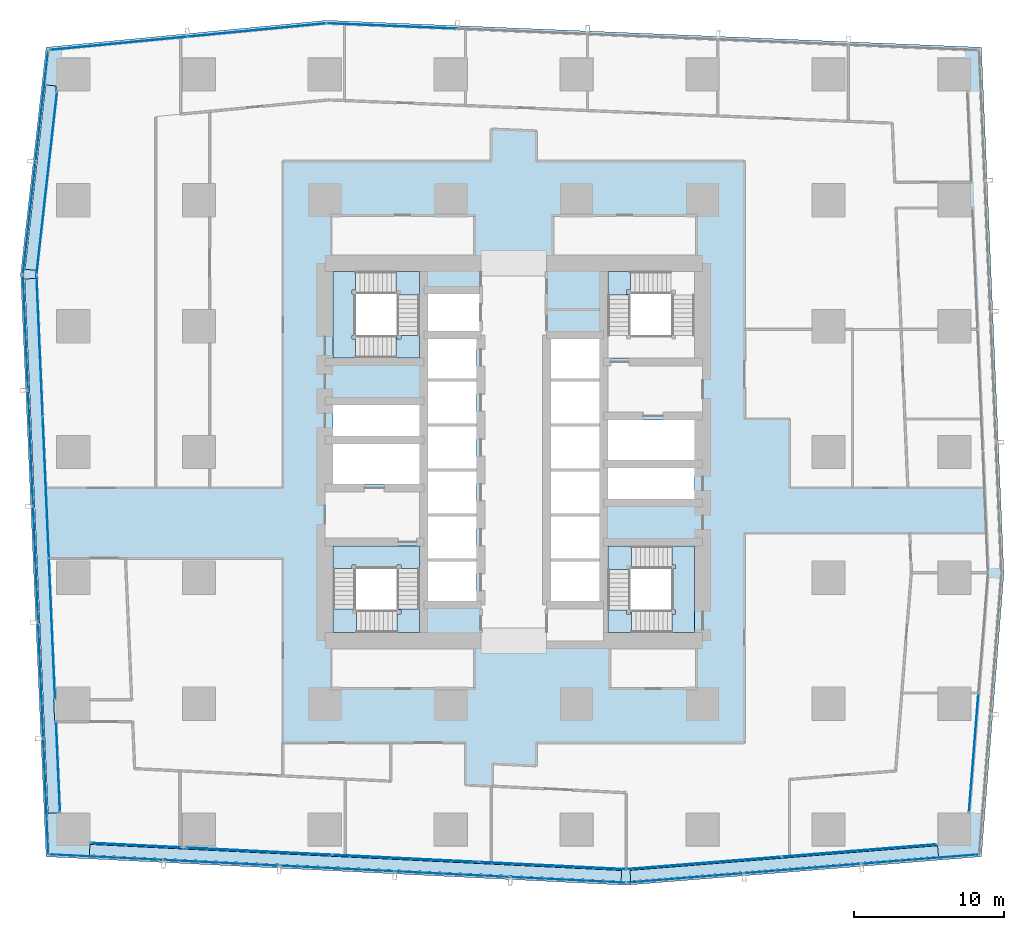
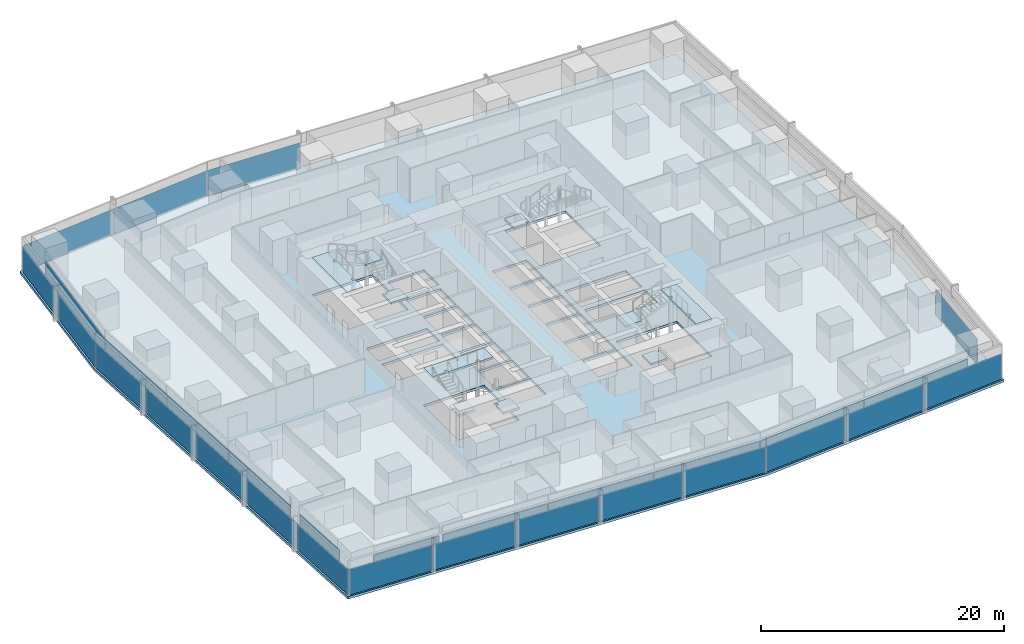
# One storey, part 30 of 44: 34 plates, 11 slabs, 17 elements without a shape of their own.
"""IFC4 building model written with IfcOpenShell, lengths in metres."""

from ifc_helpers import new_model, si_unit, direction, frame, origin, origin_2d, place, context, subcontext, project, spatial, polyline, rectangle, outline, extrude, material, layer, layer_set, type_object, element, aggregate, save


model = new_model("IFC4")

# Units and contexts
model_context = context("Model", 3, precision=1e-05, world=origin(), true_north=direction((0.0, 1.0)))
body_context = subcontext(model_context, "Body", "Model", "MODEL_VIEW")
ifc_project = project(units=[si_unit("LENGTHUNIT", "METRE"), si_unit("AREAUNIT", "SQUARE_METRE"), si_unit("VOLUMEUNIT", "CUBIC_METRE"), si_unit("PLANEANGLEUNIT", "RADIAN"), si_unit("MASSUNIT", "GRAM", prefix="KILO")], contexts=[model_context])

# Site, building, storey
site_placement = place(None, origin())
site = spatial("IfcSite", under=ifc_project, at=site_placement, CompositionType="ELEMENT")
building_placement = place(site_placement, origin())
building = spatial("IfcBuilding", under=site, at=building_placement, Name="Rekha Terrace Tower", CompositionType="ELEMENT")
storey_placement = place(building_placement, frame((0.0, 0.0, 62.89990234375)))
storey = spatial("IfcBuildingStorey", under=building, at=storey_placement, Name="L15", CompositionType="ELEMENT", Elevation=62.89990234375)

# Curtain wall, plate
ifc_material_1 = material(Name="Aluminium framing", Category="aluminium")
curtain_wall_type_1 = type_object("IfcCurtainWallType", Name="CW1 double skin inner glazing", PredefinedType="USERDEFINED", material=ifc_material_1)
curtain_wall_1_placement = place(storey_placement, origin())
curtain_wall_1 = element("IfcCurtainWall", 1, at=curtain_wall_1_placement, inside=storey, type_object=curtain_wall_type_1, Name="CW1 double skin inner glazing", ObjectType="DOUBLE SKIN INNER GLAZING", PredefinedType="USERDEFINED")
ifc_material_2 = material(Name="Double-glazed low-e unit 32", Category="glass")
ifc_layer_1 = layer(ifc_material_2, 0.031982421875)
ifc_layer_set_1 = layer_set([ifc_layer_1], Name="Double-glazed low-e unit 32")
plate_type_1 = type_object("IfcPlateType", Name="CW1 jumbo vision panel, double-glazed low-e unit 32", PredefinedType="CURTAIN_PANEL", material=ifc_layer_set_1)
plate_1_placement = place(storey_placement, frame((12.60009765625, 7.36669921875, 0.0), z_axis=(0.0, 0.0, 1.0), x_axis=(0.998796239977, -0.049051717693, 0.0)))
plate_1 = element("IfcPlate", 2, at=plate_1_placement, type_object=plate_type_1, Name="CW1 panel 1.1", PredefinedType="CURTAIN_PANEL", context=body_context, shape_type="SweptSolid", body=[
    extrude(rectangle(XDim=6.028076171875, YDim=0.031982421875, at=origin_2d()), origin(), (0.0, 0.0, 1.0), 2.60009765625),
])
aggregate(curtain_wall_1, [plate_1])

# Curtain wall, plates
curtain_wall_2_placement = place(storey_placement, origin())
curtain_wall_2 = element("IfcCurtainWall", 3, at=curtain_wall_2_placement, inside=storey, type_object=curtain_wall_type_1, Name="CW1 double skin inner glazing", ObjectType="DOUBLE SKIN INNER GLAZING", PredefinedType="USERDEFINED")
plate_2_placement = place(storey_placement, frame((20.818603515625, 6.962890625, 0.0), z_axis=(0.0, 0.0, 1.0), x_axis=(0.998796239974, -0.049051717746, 0.0)))
plate_2 = element("IfcPlate", 4, at=plate_2_placement, type_object=plate_type_1, Name="CW1 panel 1.1", PredefinedType="CURTAIN_PANEL", context=body_context, shape_type="SweptSolid", body=[
    extrude(rectangle(XDim=9.701904296875, YDim=0.031982421875, at=origin_2d()), origin(), (0.0, 0.0, 1.0), 2.60009765625),
])
plate_3_placement = place(storey_placement, frame((30.590087890625, 6.483154296875, 0.0), z_axis=(0.0, 0.0, 1.0), x_axis=(0.998796239974, -0.049051717746, 0.0)))
plate_3 = element("IfcPlate", 5, at=plate_3_placement, type_object=plate_type_1, Name="CW1 panel 2.1", PredefinedType="CURTAIN_PANEL", context=body_context, shape_type="SweptSolid", body=[
    extrude(rectangle(XDim=9.734619140625, YDim=0.031982421875, at=origin_2d()), origin(), (0.0, 0.0, 1.0), 2.60009765625),
])
plate_4_placement = place(storey_placement, frame((40.39404296875, 6.001708984375, 0.0), z_axis=(0.0, 0.0, 1.0), x_axis=(0.998796239974, -0.049051717746, 0.0)))
plate_4 = element("IfcPlate", 6, at=plate_4_placement, type_object=plate_type_1, Name="CW1 panel 3.1", PredefinedType="CURTAIN_PANEL", context=body_context, shape_type="SweptSolid", body=[
    extrude(rectangle(XDim=9.76708984375, YDim=0.031982421875, at=origin_2d()), origin(), (0.0, 0.0, 1.0), 2.60009765625),
])
aggregate(curtain_wall_2, [plate_2, plate_3, plate_4])

curtain_wall_3_placement = place(storey_placement, origin())
curtain_wall_3 = element("IfcCurtainWall", 7, at=curtain_wall_3_placement, inside=storey, type_object=curtain_wall_type_1, Name="CW1 double skin inner glazing", ObjectType="DOUBLE SKIN INNER GLAZING", PredefinedType="USERDEFINED")
plate_5_placement = place(storey_placement, frame((50.488037109375, 6.18017578125, 0.0), z_axis=(0.0, 0.0, 1.0), x_axis=(0.996805111821, 0.079872204468, 0.0)))
plate_5 = element("IfcPlate", 8, at=plate_5_placement, type_object=plate_type_1, Name="CW1 panel 1.1", PredefinedType="CURTAIN_PANEL", context=body_context, shape_type="SweptSolid", body=[
    extrude(rectangle(XDim=10.336181640625, YDim=0.031982421875, at=origin_2d()), origin(), (0.0, 0.0, 1.0), 2.60009765625),
])
plate_6_placement = place(storey_placement, frame((60.85595703125, 7.0107421875, 0.0), z_axis=(0.0, 0.0, 1.0), x_axis=(0.996805111821, 0.079872204468, 0.0)))
plate_6 = element("IfcPlate", 9, at=plate_6_placement, type_object=plate_type_1, Name="CW1 panel 2.1", PredefinedType="CURTAIN_PANEL", context=body_context, shape_type="SweptSolid", body=[
    extrude(rectangle(XDim=10.336181640625, YDim=0.031982421875, at=origin_2d()), origin(), (0.0, 0.0, 1.0), 2.60009765625),
])
aggregate(curtain_wall_3, [plate_5, plate_6])

# Curtain wall, plate
curtain_wall_4_placement = place(storey_placement, origin())
curtain_wall_4 = element("IfcCurtainWall", 10, at=curtain_wall_4_placement, inside=storey, type_object=curtain_wall_type_1, Name="CW1 double skin inner glazing", ObjectType="DOUBLE SKIN INNER GLAZING", PredefinedType="USERDEFINED")
plate_7_placement = place(storey_placement, frame((68.487548828125, 13.541748046875, 0.0), z_axis=(0.0, 0.0, 1.0), x_axis=(0.079116301, 0.996865392576, 0.0)))
plate_7 = element("IfcPlate", 11, at=plate_7_placement, type_object=plate_type_1, Name="CW1 panel 1.1", PredefinedType="CURTAIN_PANEL", context=body_context, shape_type="SweptSolid", body=[
    extrude(rectangle(XDim=7.923583984375, YDim=0.031982421875, at=origin_2d()), origin(), (0.0, 0.0, 1.0), 2.60009765625),
])
aggregate(curtain_wall_4, [plate_7])

curtain_wall_5_placement = place(storey_placement, origin())
curtain_wall_5 = element("IfcCurtainWall", 12, at=curtain_wall_5_placement, inside=storey, type_object=curtain_wall_type_1, Name="CW1 double skin inner glazing", ObjectType="DOUBLE SKIN INNER GLAZING", PredefinedType="USERDEFINED")
plate_8_placement = place(storey_placement, frame((6.646728515625, 51.52734375, 0.0), z_axis=(0.0, 0.0, 1.0), x_axis=(-0.111729870748, -0.993738615524, 0.0)))
plate_8 = element("IfcPlate", 13, at=plate_8_placement, type_object=plate_type_1, Name="CW1 panel 1.1", PredefinedType="CURTAIN_PANEL", context=body_context, shape_type="SweptSolid", body=[
    extrude(rectangle(XDim=12.243896484375, YDim=0.031982421875, at=origin_2d()), origin(), (0.0, 0.0, 1.0), 2.60009765625),
])
aggregate(curtain_wall_5, [plate_8])

# Curtain wall, plates
curtain_wall_6_placement = place(storey_placement, origin())
curtain_wall_6 = element("IfcCurtainWall", 14, at=curtain_wall_6_placement, inside=storey, type_object=curtain_wall_type_1, Name="CW1 double skin inner glazing", ObjectType="DOUBLE SKIN INNER GLAZING", PredefinedType="USERDEFINED")
plate_9_placement = place(storey_placement, frame((6.170166015625, 40.69482421875, 0.0), z_axis=(0.0, 0.0, 1.0), x_axis=(0.043682543337, -0.999045462133, 0.0)))
plate_9 = element("IfcPlate", 15, at=plate_9_placement, type_object=plate_type_1, Name="CW1 panel 1.1", PredefinedType="CURTAIN_PANEL", context=body_context, shape_type="SweptSolid", body=[
    extrude(rectangle(XDim=9.376953125, YDim=0.031982421875, at=origin_2d()), origin(), (0.0, 0.0, 1.0), 2.60009765625),
])
plate_10_placement = place(storey_placement, frame((6.58349609375, 31.245361328125, 0.0), z_axis=(0.0, 0.0, 1.0), x_axis=(0.043682543337, -0.999045462133, 0.0)))
plate_10 = element("IfcPlate", 16, at=plate_10_placement, type_object=plate_type_1, Name="CW1 panel 2.1", PredefinedType="CURTAIN_PANEL", context=body_context, shape_type="SweptSolid", body=[
    extrude(rectangle(XDim=9.40966796875, YDim=0.031982421875, at=origin_2d()), origin(), (0.0, 0.0, 1.0), 2.60009765625),
])
plate_11_placement = place(storey_placement, frame((6.99658203125, 21.796142578125, 0.0), z_axis=(0.0, 0.0, 1.0), x_axis=(0.043682543337, -0.999045462133, 0.0)))
plate_11 = element("IfcPlate", 17, at=plate_11_placement, type_object=plate_type_1, Name="CW1 panel 3.1", PredefinedType="CURTAIN_PANEL", context=body_context, shape_type="SweptSolid", body=[
    extrude(rectangle(XDim=9.376953125, YDim=0.031982421875, at=origin_2d()), origin(), (0.0, 0.0, 1.0), 2.60009765625),
])
aggregate(curtain_wall_6, [plate_9, plate_10, plate_11])

# Curtain wall, plate
curtain_wall_7_placement = place(storey_placement, origin())
curtain_wall_7 = element("IfcCurtainWall", 18, at=curtain_wall_7_placement, inside=storey, type_object=curtain_wall_type_1, Name="CW1 double skin inner glazing", ObjectType="DOUBLE SKIN INNER GLAZING", PredefinedType="USERDEFINED")
plate_12_placement = place(storey_placement, frame((7.398681640625, 12.60009765625, 0.0), z_axis=(0.0, 0.0, 1.0), x_axis=(0.043682543424, -0.999045462129, 0.0)))
plate_12 = element("IfcPlate", 19, at=plate_12_placement, type_object=plate_type_1, Name="CW1 panel 1.1", PredefinedType="CURTAIN_PANEL", context=body_context, shape_type="SweptSolid", body=[
    extrude(rectangle(XDim=6.027587890625, YDim=0.031982421875, at=origin_2d()), origin(), (0.0, 0.0, 1.0), 2.60009765625),
])
aggregate(curtain_wall_7, [plate_12])

# Curtain wall, plates
curtain_wall_type_2 = type_object("IfcCurtainWallType", Name="CW2 double skin outer glazing", PredefinedType="USERDEFINED", material=ifc_material_1)
curtain_wall_8_placement = place(storey_placement, origin())
curtain_wall_8 = element("IfcCurtainWall", 20, at=curtain_wall_8_placement, inside=storey, type_object=curtain_wall_type_2, Name="CW2 double skin outer glazing", ObjectType="DOUBLE SKIN OUTER GLAZING", PredefinedType="USERDEFINED")
ifc_material_3 = material(Name="Toughened single glazing 12", Category="glass")
ifc_layer_2 = layer(ifc_material_3, 0.011962890625)
ifc_layer_set_2 = layer_set([ifc_layer_2], Name="Toughened single glazing 12")
plate_type_2 = type_object("IfcPlateType", Name="CW2 jumbo vision panel, toughened single glazing 12", PredefinedType="CURTAIN_PANEL", material=ifc_layer_set_2)
plate_13_placement = place(storey_placement, frame((10.626708984375, 6.5625, 0.0), z_axis=(0.0, 0.0, 1.0), x_axis=(0.998796239974, -0.049051717746, 0.0)))
plate_13 = element("IfcPlate", 21, at=plate_13_placement, type_object=plate_type_2, Name="CW2 panel 1.1", PredefinedType="CURTAIN_PANEL", context=body_context, shape_type="SweptSolid", body=[
    extrude(rectangle(XDim=7.595703125, YDim=0.011962890625, at=origin_2d()), origin(), (0.0, 0.0, 1.0), 2.60009765625),
])
plate_14_placement = place(storey_placement, frame((18.31298828125, 6.18505859375, 0.0), z_axis=(0.0, 0.0, 1.0), x_axis=(0.998796239974, -0.049051717746, 0.0)))
plate_14 = element("IfcPlate", 22, at=plate_14_placement, type_object=plate_type_2, Name="CW2 panel 2.1", PredefinedType="CURTAIN_PANEL", context=body_context, shape_type="SweptSolid", body=[
    extrude(rectangle(XDim=7.6357421875, YDim=0.011962890625, at=origin_2d()), origin(), (0.0, 0.0, 1.0), 2.60009765625),
])
plate_15_placement = place(storey_placement, frame((26.01953125, 5.806396484375, 0.0), z_axis=(0.0, 0.0, 1.0), x_axis=(0.998796239974, -0.049051717746, 0.0)))
plate_15 = element("IfcPlate", 23, at=plate_15_placement, type_object=plate_type_2, Name="CW2 panel 3.1", PredefinedType="CURTAIN_PANEL", context=body_context, shape_type="SweptSolid", body=[
    extrude(rectangle(XDim=7.6357421875, YDim=0.011962890625, at=origin_2d()), origin(), (0.0, 0.0, 1.0), 2.60009765625),
])
plate_16_placement = place(storey_placement, frame((33.725830078125, 5.427978515625, 0.0), z_axis=(0.0, 0.0, 1.0), x_axis=(0.998796239974, -0.049051717746, 0.0)))
plate_16 = element("IfcPlate", 24, at=plate_16_placement, type_object=plate_type_2, Name="CW2 panel 4.1", PredefinedType="CURTAIN_PANEL", context=body_context, shape_type="SweptSolid", body=[
    extrude(rectangle(XDim=7.6357421875, YDim=0.011962890625, at=origin_2d()), origin(), (0.0, 0.0, 1.0), 2.60009765625),
])
plate_17_placement = place(storey_placement, frame((41.452392578125, 5.048583984375, 0.0), z_axis=(0.0, 0.0, 1.0), x_axis=(0.998796239974, -0.049051717746, 0.0)))
plate_17 = element("IfcPlate", 25, at=plate_17_placement, type_object=plate_type_2, Name="CW2 panel 5.1", PredefinedType="CURTAIN_PANEL", context=body_context, shape_type="SweptSolid", body=[
    extrude(rectangle(XDim=7.67578125, YDim=0.011962890625, at=origin_2d()), origin(), (0.0, 0.0, 1.0), 2.60009765625),
])
aggregate(curtain_wall_8, [plate_13, plate_14, plate_15, plate_16, plate_17])

curtain_wall_9_placement = place(storey_placement, origin())
curtain_wall_9 = element("IfcCurtainWall", 26, at=curtain_wall_9_placement, inside=storey, type_object=curtain_wall_type_2, Name="CW2 double skin outer glazing", ObjectType="DOUBLE SKIN OUTER GLAZING", PredefinedType="USERDEFINED")
plate_18_placement = place(storey_placement, frame((49.233154296875, 5.176513671875, 0.0), z_axis=(0.0, 0.0, 1.0), x_axis=(0.996805111821, 0.079872204468, 0.0)))
plate_18 = element("IfcPlate", 27, at=plate_18_placement, type_object=plate_type_2, Name="CW2 panel 1.1", PredefinedType="CURTAIN_PANEL", context=body_context, shape_type="SweptSolid", body=[
    extrude(rectangle(XDim=7.760498046875, YDim=0.011962890625, at=origin_2d()), origin(), (0.0, 0.0, 1.0), 2.60009765625),
])
plate_19_placement = place(storey_placement, frame((57.068359375, 5.804443359375, 0.0), z_axis=(0.0, 0.0, 1.0), x_axis=(0.996805111821, 0.079872204468, 0.0)))
plate_19 = element("IfcPlate", 28, at=plate_19_placement, type_object=plate_type_2, Name="CW2 panel 2.1", PredefinedType="CURTAIN_PANEL", context=body_context, shape_type="SweptSolid", body=[
    extrude(rectangle(XDim=7.800537109375, YDim=0.011962890625, at=origin_2d()), origin(), (0.0, 0.0, 1.0), 2.60009765625),
])
plate_20_placement = place(storey_placement, frame((64.943603515625, 6.435546875, 0.0), z_axis=(0.0, 0.0, 1.0), x_axis=(0.996805111821, 0.079872204468, 0.0)))
plate_20 = element("IfcPlate", 29, at=plate_20_placement, type_object=plate_type_2, Name="CW2 panel 3.1", PredefinedType="CURTAIN_PANEL", context=body_context, shape_type="SweptSolid", body=[
    extrude(rectangle(XDim=7.84033203125, YDim=0.011962890625, at=origin_2d()), origin(), (0.0, 0.0, 1.0), 2.60009765625),
])
aggregate(curtain_wall_9, [plate_18, plate_19, plate_20])

curtain_wall_10_placement = place(storey_placement, origin())
curtain_wall_10 = element("IfcCurtainWall", 30, at=curtain_wall_10_placement, inside=storey, type_object=curtain_wall_type_2, Name="CW2 double skin outer glazing", ObjectType="DOUBLE SKIN OUTER GLAZING", PredefinedType="USERDEFINED")
plate_21_placement = place(storey_placement, frame((6.3212890625, 56.688720703125, 0.0), z_axis=(0.0, 0.0, 1.0), x_axis=(-0.111729870782, -0.99373861552, 0.0)))
plate_21 = element("IfcPlate", 31, at=plate_21_placement, type_object=plate_type_2, Name="CW2 panel 1.1", PredefinedType="CURTAIN_PANEL", context=body_context, shape_type="SweptSolid", body=[
    extrude(rectangle(XDim=7.41650390625, YDim=0.011962890625, at=origin_2d()), origin(), (0.0, 0.0, 1.0), 2.60009765625),
])
plate_22_placement = place(storey_placement, frame((5.479248046875, 49.19921875, 0.0), z_axis=(0.0, 0.0, 1.0), x_axis=(-0.111729870782, -0.99373861552, 0.0)))
plate_22 = element("IfcPlate", 32, at=plate_22_placement, type_object=plate_type_2, Name="CW2 panel 2.1", PredefinedType="CURTAIN_PANEL", context=body_context, shape_type="SweptSolid", body=[
    extrude(rectangle(XDim=7.49658203125, YDim=0.011962890625, at=origin_2d()), origin(), (0.0, 0.0, 1.0), 2.60009765625),
])
aggregate(curtain_wall_10, [plate_21, plate_22])

curtain_wall_11_placement = place(storey_placement, origin())
curtain_wall_11 = element("IfcCurtainWall", 33, at=curtain_wall_11_placement, inside=storey, type_object=curtain_wall_type_2, Name="CW2 double skin outer glazing", ObjectType="DOUBLE SKIN OUTER GLAZING", PredefinedType="USERDEFINED")
plate_23_placement = place(storey_placement, frame((5.23046875, 41.582275390625, 0.0), z_axis=(0.0, 0.0, 1.0), x_axis=(0.043682543372, -0.999045462131, 0.0)))
plate_23 = element("IfcPlate", 34, at=plate_23_placement, type_object=plate_type_2, Name="CW2 panel 1.1", PredefinedType="CURTAIN_PANEL", context=body_context, shape_type="SweptSolid", body=[
    extrude(rectangle(XDim=7.6318359375, YDim=0.011962890625, at=origin_2d()), origin(), (0.0, 0.0, 1.0), 2.60009765625),
])
plate_24_placement = place(storey_placement, frame((5.568359375, 33.85791015625, 0.0), z_axis=(0.0, 0.0, 1.0), x_axis=(0.043682543372, -0.999045462131, 0.0)))
plate_24 = element("IfcPlate", 35, at=plate_24_placement, type_object=plate_type_2, Name="CW2 panel 2.1", PredefinedType="CURTAIN_PANEL", context=body_context, shape_type="SweptSolid", body=[
    extrude(rectangle(XDim=7.671875, YDim=0.011962890625, at=origin_2d()), origin(), (0.0, 0.0, 1.0), 2.60009765625),
])
plate_25_placement = place(storey_placement, frame((5.906982421875, 26.113525390625, 0.0), z_axis=(0.0, 0.0, 1.0), x_axis=(0.043682543372, -0.999045462131, 0.0)))
plate_25 = element("IfcPlate", 36, at=plate_25_placement, type_object=plate_type_2, Name="CW2 panel 3.1", PredefinedType="CURTAIN_PANEL", context=body_context, shape_type="SweptSolid", body=[
    extrude(rectangle(XDim=7.671875, YDim=0.011962890625, at=origin_2d()), origin(), (0.0, 0.0, 1.0), 2.60009765625),
])
plate_26_placement = place(storey_placement, frame((6.24560546875, 18.369140625, 0.0), z_axis=(0.0, 0.0, 1.0), x_axis=(0.043682543372, -0.999045462131, 0.0)))
plate_26 = element("IfcPlate", 37, at=plate_26_placement, type_object=plate_type_2, Name="CW2 panel 4.1", PredefinedType="CURTAIN_PANEL", context=body_context, shape_type="SweptSolid", body=[
    extrude(rectangle(XDim=7.671875, YDim=0.011962890625, at=origin_2d()), origin(), (0.0, 0.0, 1.0), 2.60009765625),
])
plate_27_placement = place(storey_placement, frame((6.5849609375, 10.60498046875, 0.0), z_axis=(0.0, 0.0, 1.0), x_axis=(0.043682543372, -0.999045462131, 0.0)))
plate_27 = element("IfcPlate", 38, at=plate_27_placement, type_object=plate_type_2, Name="CW2 panel 5.1", PredefinedType="CURTAIN_PANEL", context=body_context, shape_type="SweptSolid", body=[
    extrude(rectangle(XDim=7.711669921875, YDim=0.011962890625, at=origin_2d()), origin(), (0.0, 0.0, 1.0), 2.60009765625),
])
aggregate(curtain_wall_11, [plate_23, plate_24, plate_25, plate_26, plate_27])

# Curtain wall, plate
curtain_wall_type_3 = type_object("IfcCurtainWallType", Name="CW3 north unitised glazing", PredefinedType="USERDEFINED", material=ifc_material_1)
curtain_wall_12_placement = place(storey_placement, origin())
curtain_wall_12 = element("IfcCurtainWall", 39, at=curtain_wall_12_placement, inside=storey, type_object=curtain_wall_type_3, Name="CW3 unitised curtain wall", ObjectType="UNITISED CURTAIN WALL", PredefinedType="USERDEFINED")
ifc_material_4 = material(Name="Double-glazed unit 28", Category="glass")
ifc_layer_3 = layer(ifc_material_4, 0.028076171875)
ifc_layer_set_3 = layer_set([ifc_layer_3], Name="Double-glazed unit 28")
plate_type_3 = type_object("IfcPlateType", Name="CW3 jumbo vision panel, double-glazed unit 28", PredefinedType="CURTAIN_PANEL", material=ifc_layer_set_3)
plate_28_placement = place(storey_placement, frame((29.65625, 62.021240234375, 0.0), z_axis=(0.0, 0.0, 1.0), x_axis=(-0.999151997647, 0.041173846041, 0.0)))
plate_28 = element("IfcPlate", 40, at=plate_28_placement, type_object=plate_type_3, Name="CW3 panel 5.1", PredefinedType="CURTAIN_PANEL", context=body_context, shape_type="SweptSolid", body=[
    extrude(rectangle(XDim=8.6689453125, YDim=0.028076171875, at=origin_2d()), origin(), (0.0, 0.0, 1.0), 2.60009765625),
])
aggregate(curtain_wall_12, [plate_28])

# Curtain wall, plates
curtain_wall_13_placement = place(storey_placement, origin())
curtain_wall_13 = element("IfcCurtainWall", 41, at=curtain_wall_13_placement, inside=storey, type_object=curtain_wall_type_3, Name="CW3 unitised curtain wall", ObjectType="UNITISED CURTAIN WALL", PredefinedType="USERDEFINED")
plate_29_placement = place(storey_placement, frame((20.671875, 61.752197265625, 0.0), z_axis=(0.0, 0.0, 1.0), x_axis=(-0.995409029102, -0.095712406625, 0.0)))
plate_29 = element("IfcPlate", 42, at=plate_29_placement, type_object=plate_type_3, Name="CW3 panel 1.1", PredefinedType="CURTAIN_PANEL", context=body_context, shape_type="SweptSolid", body=[
    extrude(rectangle(XDim=9.210205078125, YDim=0.028076171875, at=origin_2d()), origin(), (0.0, 0.0, 1.0), 2.60009765625),
])
plate_30_placement = place(storey_placement, frame((11.434326171875, 60.864013671875, 0.0), z_axis=(0.0, 0.0, 1.0), x_axis=(-0.995409029102, -0.095712406625, 0.0)))
plate_30 = element("IfcPlate", 43, at=plate_30_placement, type_object=plate_type_3, Name="CW3 panel 2.1", PredefinedType="CURTAIN_PANEL", context=body_context, shape_type="SweptSolid", body=[
    extrude(rectangle(XDim=9.210205078125, YDim=0.028076171875, at=origin_2d()), origin(), (0.0, 0.0, 1.0), 2.60009765625),
])
aggregate(curtain_wall_13, [plate_29, plate_30])

# Plates
ifc_material_5 = material(Name="Galvanised steel open grating", Category="steel")
ifc_layer_4 = layer(ifc_material_5, 0.050048828125)
ifc_layer_set_4 = layer_set([ifc_layer_4], Name="Galvanised steel open grating")
plate_type_4 = type_object("IfcPlateType", Name="GT1 cavity walkway grating 50", PredefinedType="USERDEFINED", material=ifc_layer_set_4)
plate_31_placement = place(storey_placement, frame((27.24365234375, 6.197021484375, 0.0), z_axis=(0.0, 0.0, 1.0), x_axis=(0.998796239974, -0.049051717746, 0.0)))
element("IfcPlate", 44, at=plate_31_placement, inside=storey, type_object=plate_type_4, Name="Cavity walkway grating", ObjectType="CAVITY WALKWAY GRATING", PredefinedType="USERDEFINED", context=body_context, shape_type="SweptSolid", body=[
    extrude(rectangle(XDim=35.512939453125, YDim=0.705078125, at=origin_2d()), origin(), (0.0, 0.0, 1.0), 0.050048828125),
])
plate_32_placement = place(storey_placement, frame((55.841552734375, 6.15771484375, 0.0), z_axis=(0.0, 0.0, 1.0), x_axis=(0.996805111821, 0.079872204468, 0.0)))
element("IfcPlate", 45, at=plate_32_placement, inside=storey, type_object=plate_type_4, Name="Cavity walkway grating", ObjectType="CAVITY WALKWAY GRATING", PredefinedType="USERDEFINED", context=body_context, shape_type="SweptSolid", body=[
    extrude(rectangle(XDim=20.59375, YDim=0.705078125, at=origin_2d()), origin(), (0.0, 0.0, 1.0), 0.050048828125),
])
plate_33_placement = place(storey_placement, frame((6.236328125, 51.90576171875, 0.0), z_axis=(0.0, 0.0, 1.0), x_axis=(-0.1117298708, -0.993738615518, 0.0)))
element("IfcPlate", 46, at=plate_33_placement, inside=storey, type_object=plate_type_4, Name="Cavity walkway grating", ObjectType="CAVITY WALKWAY GRATING", PredefinedType="USERDEFINED", context=body_context, shape_type="SweptSolid", body=[
    extrude(rectangle(XDim=12.374267578125, YDim=0.705078125, at=origin_2d()), origin(), (0.0, 0.0, 1.0), 0.050048828125),
])
plate_34_placement = place(storey_placement, frame((6.303955078125, 27.3349609375, 0.0), z_axis=(0.0, 0.0, 1.0), x_axis=(0.043682543355, -0.999045462132, 0.0)))
element("IfcPlate", 47, at=plate_34_placement, inside=storey, type_object=plate_type_4, Name="Cavity walkway grating", ObjectType="CAVITY WALKWAY GRATING", PredefinedType="USERDEFINED", context=body_context, shape_type="SweptSolid", body=[
    extrude(rectangle(XDim=35.682861328125, YDim=0.705078125, at=origin_2d()), origin(), (0.0, 0.0, 1.0), 0.050048828125),
])

# Stair, slabs
ifc_material_6 = material(Name="Concrete M40", Category="concrete")
stair_type = type_object("IfcStairType", Name="ST30 stair, 30 risers of 125, going 300, 1500 wide flights, 3 flights", PredefinedType="HALF_TURN_STAIR", material=ifc_material_6)
stair_1_placement = place(storey_placement, origin())
stair_1 = element("IfcStair", 48, at=stair_1_placement, inside=storey, type_object=stair_type, Name="Stair ST1 L15 to L16", PredefinedType="HALF_TURN_STAIR")
ifc_layer_5 = layer(ifc_material_6, 0.199951171875)
ifc_layer_set_5 = layer_set([ifc_layer_5], Name="Concrete M40")
slab_type_1 = type_object("IfcSlabType", Name="LD1 200 concrete stair landing", PredefinedType="LANDING", material=ifc_layer_set_5)
slab_1_placement = place(storey_placement, frame((0.0, 0.0, 1.050048828125)))
slab_1 = element("IfcSlab", 49, at=slab_1_placement, type_object=slab_type_1, Name="ST1 landing 1", PredefinedType="LANDING", context=body_context, shape_type="SweptSolid", body=[
    extrude(outline(polyline([(30.02490234375, 21.550048828125), (31.52490234375, 21.550048828125), (31.52490234375, 23.125), (30.02490234375, 23.125), (30.02490234375, 23.050048828125), (30.27490234375, 23.050048828125), (30.27490234375, 22.800048828125), (30.02490234375, 22.800048828125), (30.02490234375, 21.550048828125)])), origin(), (0.0, 0.0, 1.0), 0.199951171875),
])
slab_2_placement = place(storey_placement, frame((0.0, 0.0, 2.300048828125)))
slab_2 = element("IfcSlab", 50, at=slab_2_placement, type_object=slab_type_1, Name="ST1 landing 2", PredefinedType="LANDING", context=body_context, shape_type="SweptSolid", body=[
    extrude(outline(polyline([(27.25, 23.125), (25.75, 23.125), (25.75, 21.550048828125), (27.324951171875, 21.550048828125), (27.324951171875, 23.050048828125), (27.25, 23.050048828125), (27.25, 23.125)])), origin(), (0.0, 0.0, 1.0), 0.199951171875),
])
slab_3_placement = place(storey_placement, frame((0.0, 0.0, 3.550048828125)))
slab_3 = element("IfcSlab", 51, at=slab_3_placement, type_object=slab_type_1, Name="ST1 landing 3", PredefinedType="LANDING", context=body_context, shape_type="SweptSolid", body=[
    extrude(outline(polyline([(31.52490234375, 25.824951171875), (31.52490234375, 27.324951171875), (25.75, 27.324951171875), (25.75, 25.824951171875), (27.0, 25.824951171875), (27.0, 26.074951171875), (27.25, 26.074951171875), (27.25, 25.824951171875), (30.02490234375, 25.824951171875), (30.02490234375, 26.074951171875), (30.27490234375, 26.074951171875), (30.27490234375, 25.824951171875), (31.52490234375, 25.824951171875)])), origin(), (0.0, 0.0, 1.0), 0.199951171875),
])
aggregate(stair_1, [slab_1, slab_2, slab_3])

# Stair, slab
stair_2_placement = place(storey_placement, origin())
stair_2 = element("IfcStair", 52, at=stair_2_placement, inside=storey, type_object=stair_type, Name="Stair ST2 L15 to L16", PredefinedType="HALF_TURN_STAIR")
slab_4_placement = place(storey_placement, frame((0.0, 0.0, 1.050048828125)))
slab_4 = element("IfcSlab", 53, at=slab_4_placement, type_object=slab_type_1, Name="ST2 landing 1", PredefinedType="LANDING", context=body_context, shape_type="SweptSolid", body=[
    extrude(outline(polyline([(45.574951171875, 45.64990234375), (44.074951171875, 45.64990234375), (44.074951171875, 44.074951171875), (45.574951171875, 44.074951171875), (45.574951171875, 44.14990234375), (45.324951171875, 44.14990234375), (45.324951171875, 44.39990234375), (45.574951171875, 44.39990234375), (45.574951171875, 45.64990234375)])), origin(), (0.0, 0.0, 1.0), 0.199951171875),
])
aggregate(stair_2, [slab_4])

# Stair, slabs
stair_3_placement = place(storey_placement, origin())
stair_3 = element("IfcStair", 54, at=stair_3_placement, inside=storey, type_object=stair_type, Name="Stair ST3 L15 to L16", PredefinedType="HALF_TURN_STAIR")
slab_5_placement = place(storey_placement, frame((0.0, 0.0, 1.050048828125)))
slab_5 = element("IfcSlab", 55, at=slab_5_placement, type_object=slab_type_1, Name="ST3 landing 1", PredefinedType="LANDING", context=body_context, shape_type="SweptSolid", body=[
    extrude(outline(polyline([(44.074951171875, 23.050048828125), (44.074951171875, 21.550048828125), (45.64990234375, 21.550048828125), (45.64990234375, 23.050048828125), (45.574951171875, 23.050048828125), (45.574951171875, 22.800048828125), (45.324951171875, 22.800048828125), (45.324951171875, 23.050048828125), (44.074951171875, 23.050048828125)])), origin(), (0.0, 0.0, 1.0), 0.199951171875),
])
slab_6_placement = place(storey_placement, frame((0.0, 0.0, 2.300048828125)))
slab_6 = element("IfcSlab", 56, at=slab_6_placement, type_object=slab_type_1, Name="ST3 landing 2", PredefinedType="LANDING", context=body_context, shape_type="SweptSolid", body=[
    extrude(outline(polyline([(45.64990234375, 25.824951171875), (45.64990234375, 27.324951171875), (44.074951171875, 27.324951171875), (44.074951171875, 25.75), (45.574951171875, 25.75), (45.574951171875, 25.824951171875), (45.64990234375, 25.824951171875)])), origin(), (0.0, 0.0, 1.0), 0.199951171875),
])
slab_7_placement = place(storey_placement, frame((0.0, 0.0, 3.550048828125)))
slab_7 = element("IfcSlab", 57, at=slab_7_placement, type_object=slab_type_1, Name="ST3 landing 3", PredefinedType="LANDING", context=body_context, shape_type="SweptSolid", body=[
    extrude(outline(polyline([(48.35009765625, 21.550048828125), (49.85009765625, 21.550048828125), (49.85009765625, 27.324951171875), (48.35009765625, 27.324951171875), (48.35009765625, 26.074951171875), (48.60009765625, 26.074951171875), (48.60009765625, 25.824951171875), (48.35009765625, 25.824951171875), (48.35009765625, 23.050048828125), (48.60009765625, 23.050048828125), (48.60009765625, 22.800048828125), (48.35009765625, 22.800048828125), (48.35009765625, 21.550048828125)])), origin(), (0.0, 0.0, 1.0), 0.199951171875),
])
aggregate(stair_3, [slab_5, slab_6, slab_7])

stair_4_placement = place(storey_placement, origin())
stair_4 = element("IfcStair", 58, at=stair_4_placement, inside=storey, type_object=stair_type, Name="Stair ST4 L15 to L16", PredefinedType="HALF_TURN_STAIR")
slab_8_placement = place(storey_placement, frame((0.0, 0.0, 1.050048828125)))
slab_8 = element("IfcSlab", 59, at=slab_8_placement, type_object=slab_type_1, Name="ST4 landing 1", PredefinedType="LANDING", context=body_context, shape_type="SweptSolid", body=[
    extrude(outline(polyline([(31.52490234375, 41.375), (31.52490234375, 39.875), (29.949951171875, 39.875), (29.949951171875, 41.375), (30.02490234375, 41.375), (30.02490234375, 41.125), (30.27490234375, 41.125), (30.27490234375, 41.375), (31.52490234375, 41.375)])), origin(), (0.0, 0.0, 1.0), 0.199951171875),
])
slab_9_placement = place(storey_placement, frame((0.0, 0.0, 2.300048828125)))
slab_9 = element("IfcSlab", 60, at=slab_9_placement, type_object=slab_type_1, Name="ST4 landing 2", PredefinedType="LANDING", context=body_context, shape_type="SweptSolid", body=[
    extrude(outline(polyline([(29.949951171875, 44.14990234375), (29.949951171875, 45.64990234375), (31.52490234375, 45.64990234375), (31.52490234375, 44.074951171875), (30.02490234375, 44.074951171875), (30.02490234375, 44.14990234375), (29.949951171875, 44.14990234375)])), origin(), (0.0, 0.0, 1.0), 0.199951171875),
])
slab_10_placement = place(storey_placement, frame((0.0, 0.0, 3.550048828125)))
slab_10 = element("IfcSlab", 61, at=slab_10_placement, type_object=slab_type_1, Name="ST4 landing 3", PredefinedType="LANDING", context=body_context, shape_type="SweptSolid", body=[
    extrude(outline(polyline([(27.25, 39.875), (25.75, 39.875), (25.75, 45.64990234375), (27.25, 45.64990234375), (27.25, 44.39990234375), (27.0, 44.39990234375), (27.0, 44.14990234375), (27.25, 44.14990234375), (27.25, 41.375), (27.0, 41.375), (27.0, 41.125), (27.25, 41.125), (27.25, 39.875)])), origin(), (0.0, 0.0, 1.0), 0.199951171875),
])
aggregate(stair_4, [slab_8, slab_9, slab_10])

# Slab
ifc_material_7 = material(Name="Concrete M50", Category="concrete")
ifc_layer_6 = layer(ifc_material_7, 0.25)
ifc_layer_set_6 = layer_set([ifc_layer_6], Name="Concrete M50")
slab_type_2 = type_object("IfcSlabType", Name="SL4 250 post-tensioned flat plate", PredefinedType="FLOOR", material=ifc_layer_set_6)
slab_11_placement = place(storey_placement, frame((0.0, 0.0, -0.25)))
element("IfcSlab", 62, at=slab_11_placement, inside=storey, type_object=slab_type_2, Name="Post-tensioned flat plate L15", PredefinedType="FLOOR", context=body_context, shape_type="SweptSolid", body=[
    extrude(outline(polyline([(4.89990234375, 45.47998046875), (6.60009765625, 6.60009765625), (45.2880859375, 4.699951171875), (69.0, 6.60009765625), (70.5, 25.5), (69.0, 60.60009765625), (25.320068359375, 62.39990234375), (6.60009765625, 60.60009765625), (4.89990234375, 45.47998046875)]), holes=[polyline([(31.52490234375, 27.324951171875), (31.52490234375, 21.550048828125), (25.75, 21.550048828125), (25.75, 27.324951171875), (31.52490234375, 27.324951171875)]), polyline([(35.324951171875, 26.300048828125), (35.324951171875, 23.675048828125), (32.074951171875, 23.675048828125), (32.074951171875, 26.300048828125), (35.324951171875, 26.300048828125)]), polyline([(35.324951171875, 29.300048828125), (35.324951171875, 26.5), (32.074951171875, 26.5), (32.074951171875, 29.300048828125), (35.324951171875, 29.300048828125)]), polyline([(35.324951171875, 29.5), (32.074951171875, 29.5), (32.074951171875, 32.300048828125), (35.324951171875, 32.300048828125), (35.324951171875, 29.5)]), polyline([(31.52490234375, 31.47509765625), (25.75, 31.47509765625), (25.75, 34.125), (31.52490234375, 34.125), (31.52490234375, 31.47509765625)]), polyline([(35.324951171875, 35.300048828125), (35.324951171875, 32.5), (32.074951171875, 32.5), (32.074951171875, 35.300048828125), (35.324951171875, 35.300048828125)]), polyline([(31.52490234375, 36.72509765625), (31.52490234375, 34.675048828125), (25.75, 34.675048828125), (25.75, 36.72509765625), (31.52490234375, 36.72509765625)]), polyline([(35.324951171875, 38.300048828125), (35.324951171875, 35.5), (32.074951171875, 35.5), (32.074951171875, 38.300048828125), (35.324951171875, 38.300048828125)]), polyline([(35.324951171875, 38.5), (32.074951171875, 38.5), (32.074951171875, 41.125), (35.324951171875, 41.125), (35.324951171875, 38.5)]), polyline([(31.52490234375, 39.875), (25.75, 39.875), (25.75, 45.64990234375), (31.52490234375, 45.64990234375), (31.52490234375, 39.875)]), polyline([(35.5, 44.125), (35.5, 41.675048828125), (32.074951171875, 41.675048828125), (32.074951171875, 44.125), (35.5, 44.125)]), polyline([(49.85009765625, 27.324951171875), (49.85009765625, 21.550048828125), (44.074951171875, 21.550048828125), (44.074951171875, 27.324951171875), (49.85009765625, 27.324951171875)]), polyline([(43.52490234375, 26.300048828125), (43.52490234375, 23.675048828125), (40.27490234375, 23.675048828125), (40.27490234375, 26.300048828125), (43.52490234375, 26.300048828125)]), polyline([(43.52490234375, 26.5), (40.27490234375, 26.5), (40.27490234375, 29.300048828125), (43.52490234375, 29.300048828125), (43.52490234375, 26.5)]), polyline([(43.52490234375, 29.5), (40.27490234375, 29.5), (40.27490234375, 32.300048828125), (43.52490234375, 32.300048828125), (43.52490234375, 29.5)]), polyline([(49.85009765625, 32.52490234375), (49.85009765625, 30.47509765625), (44.074951171875, 30.47509765625), (44.074951171875, 32.52490234375), (49.85009765625, 32.52490234375)]), polyline([(43.52490234375, 32.5), (40.27490234375, 32.5), (40.27490234375, 35.300048828125), (43.52490234375, 35.300048828125), (43.52490234375, 32.5)]), polyline([(49.85009765625, 33.074951171875), (44.074951171875, 33.074951171875), (44.074951171875, 35.72509765625), (49.85009765625, 35.72509765625), (49.85009765625, 33.074951171875)]), polyline([(43.52490234375, 38.300048828125), (43.52490234375, 35.5), (40.27490234375, 35.5), (40.27490234375, 38.300048828125), (43.52490234375, 38.300048828125)]), polyline([(43.52490234375, 38.5), (40.27490234375, 38.5), (40.27490234375, 41.125), (43.52490234375, 41.125), (43.52490234375, 38.5)]), polyline([(49.85009765625, 39.875), (44.074951171875, 39.875), (44.074951171875, 45.64990234375), (49.85009765625, 45.64990234375), (49.85009765625, 39.875)])]), origin(), (0.0, 0.0, 1.0), 0.25),
])

save(model, "model.ifc")
